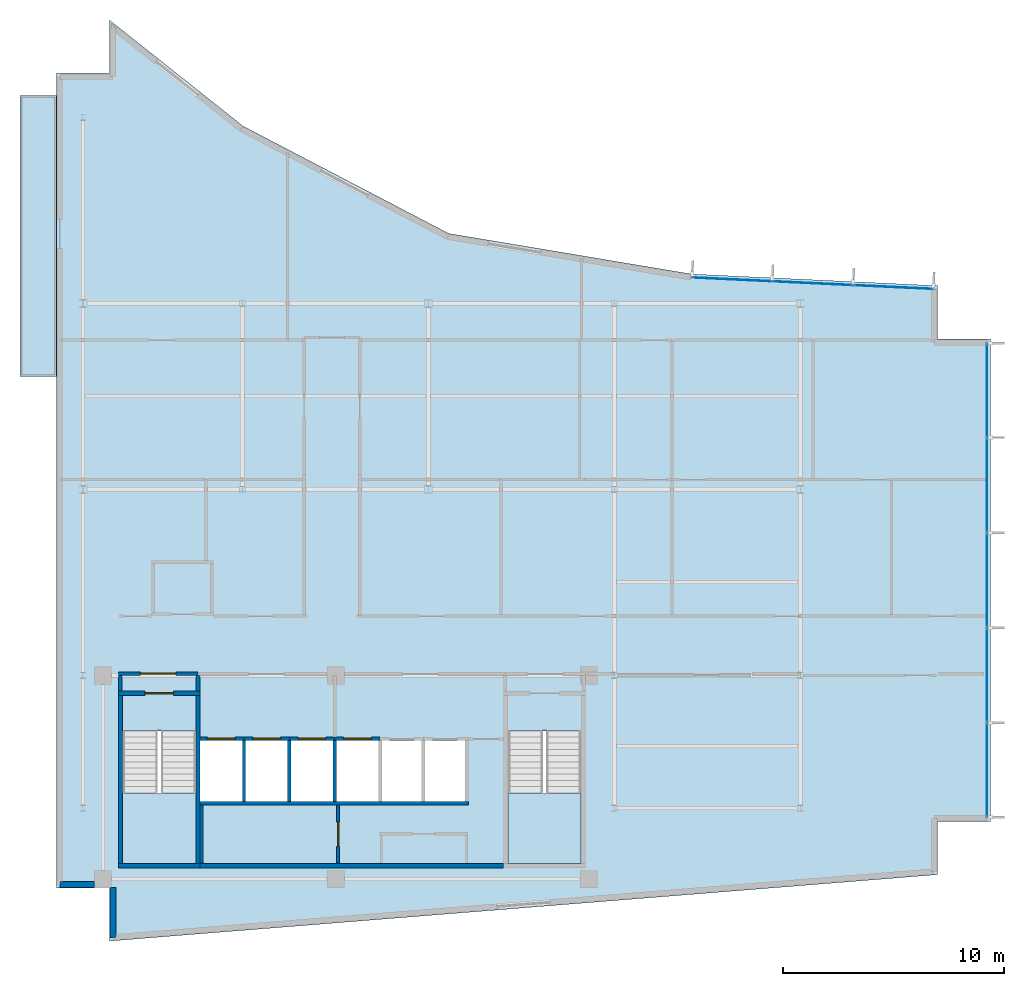
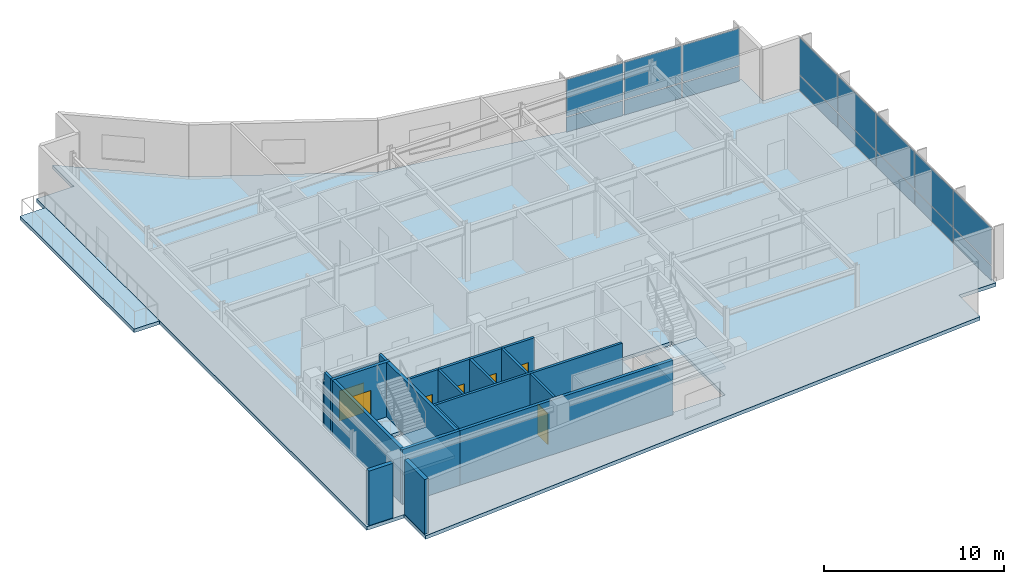
# One storey, part 10 of 16: 20 walls, 16 plates, 7 doors, 4 slabs, 7 openings, 4 elements without a shape of their own.
"""IFC4 building model written with IfcOpenShell, lengths in metres."""

from ifc_helpers import new_model, si_unit, direction, frame, frame_2d, origin, origin_2d, place, context, subcontext, project, spatial, polyline, rectangle, outline, extrude, material, layer, layer_set, type_object, element, fill, aggregate, save


model = new_model("IFC4")

# Units and contexts
model_context = context("Model", 3, precision=1e-05, world=origin(), true_north=direction((0.0, 1.0)))
body_context = subcontext(model_context, "Body", "Model", "MODEL_VIEW")
ifc_project = project(units=[si_unit("LENGTHUNIT", "METRE"), si_unit("AREAUNIT", "SQUARE_METRE"), si_unit("VOLUMEUNIT", "CUBIC_METRE"), si_unit("PLANEANGLEUNIT", "RADIAN"), si_unit("MASSUNIT", "GRAM", prefix="KILO")], contexts=[model_context])

# Site, building, storey
site_placement = place(None, origin())
site = spatial("IfcSite", under=ifc_project, at=site_placement, CompositionType="ELEMENT")
building_placement = place(site_placement, origin())
building = spatial("IfcBuilding", under=site, at=building_placement, Name="Varnakote Quay Hospital", CompositionType="ELEMENT")
storey_placement = place(building_placement, frame((0.0, 0.0, 264.449951171875)))
storey = spatial("IfcBuildingStorey", under=building, at=storey_placement, Name="L65", CompositionType="ELEMENT", Elevation=264.449951171875)

# Curtain wall, plates
ifc_material_1 = material(Name="Anodised aluminium 6063-T6 Bronze", Category="aluminium")
ifc_layer_1 = layer(ifc_material_1, 0.235107421875)
ifc_layer_set_1 = layer_set([ifc_layer_1], Name="Anodised aluminium 6063-T6 Bronze")
curtain_wall_type = type_object("IfcCurtainWallType", Name="CW-SYS-5", PredefinedType="NOTDEFINED", material=ifc_layer_set_1)
curtain_wall_1_placement = place(storey_placement, origin())
curtain_wall_1 = element("IfcCurtainWall", 1, at=curtain_wall_1_placement, inside=storey, type_object=curtain_wall_type, Name="L65 Unitised Bronze Curtain Wall 1", PredefinedType="NOTDEFINED")
ifc_material_2 = material(Name="Double-glazed low-E solar glass", Category="glass")
ifc_layer_2 = layer(ifc_material_2, 0.028076171875)
ifc_layer_set_2 = layer_set([ifc_layer_2], Name="Double-glazed low-E solar glass")
plate_type = type_object("IfcPlateType", Name="CW-PNL-GLZ-28", PredefinedType="CURTAIN_PANEL", material=ifc_layer_set_2)
plate_1_placement = place(storey_placement, frame((42.0400390625, 7.724365234375, 0.065185546875), z_axis=(0.0, 0.0, 1.0), x_axis=(0.0, 1.0, 0.0)))
plate_1 = element("IfcPlate", 2, at=plate_1_placement, type_object=plate_type, Name="-5-L65-1 panel 1.1", PredefinedType="CURTAIN_PANEL", context=body_context, shape_type="SweptSolid", body=[
    extrude(rectangle(XDim=4.198486328125, YDim=0.028076171875, at=origin_2d()), origin(), (0.0, 0.0, 1.0), 1.00244140625),
])
plate_2_placement = place(storey_placement, frame((42.0400390625, 7.724365234375, 1.1328125), z_axis=(0.0, 0.0, 1.0), x_axis=(0.0, 1.0, 0.0)))
plate_2 = element("IfcPlate", 3, at=plate_2_placement, type_object=plate_type, Name="-5-L65-1 panel 1.2", PredefinedType="CURTAIN_PANEL", context=body_context, shape_type="SweptSolid", body=[
    extrude(rectangle(XDim=4.198486328125, YDim=0.028076171875, at=origin_2d()), origin(), (0.0, 0.0, 1.0), 2.512451171875),
])
plate_3_placement = place(storey_placement, frame((42.0400390625, 12.00390625, 0.065185546875), z_axis=(0.0, 0.0, 1.0), x_axis=(0.0, 1.0, 0.0)))
plate_3 = element("IfcPlate", 4, at=plate_3_placement, type_object=plate_type, Name="-5-L65-1 panel 2.1", PredefinedType="CURTAIN_PANEL", context=body_context, shape_type="SweptSolid", body=[
    extrude(rectangle(XDim=4.23095703125, YDim=0.028076171875, at=origin_2d()), origin(), (0.0, 0.0, 1.0), 1.00244140625),
])
plate_4_placement = place(storey_placement, frame((42.0400390625, 12.00390625, 1.1328125), z_axis=(0.0, 0.0, 1.0), x_axis=(0.0, 1.0, 0.0)))
plate_4 = element("IfcPlate", 5, at=plate_4_placement, type_object=plate_type, Name="-5-L65-1 panel 2.2", PredefinedType="CURTAIN_PANEL", context=body_context, shape_type="SweptSolid", body=[
    extrude(rectangle(XDim=4.23095703125, YDim=0.028076171875, at=origin_2d()), origin(), (0.0, 0.0, 1.0), 2.512451171875),
])
plate_5_placement = place(storey_placement, frame((42.0400390625, 16.300048828125, 0.065185546875), z_axis=(0.0, 0.0, 1.0), x_axis=(0.0, 1.0, 0.0)))
plate_5 = element("IfcPlate", 6, at=plate_5_placement, type_object=plate_type, Name="-5-L65-1 panel 3.1", PredefinedType="CURTAIN_PANEL", context=body_context, shape_type="SweptSolid", body=[
    extrude(rectangle(XDim=4.23095703125, YDim=0.028076171875, at=origin_2d()), origin(), (0.0, 0.0, 1.0), 1.00244140625),
])
plate_6_placement = place(storey_placement, frame((42.0400390625, 16.300048828125, 1.1328125), z_axis=(0.0, 0.0, 1.0), x_axis=(0.0, 1.0, 0.0)))
plate_6 = element("IfcPlate", 7, at=plate_6_placement, type_object=plate_type, Name="-5-L65-1 panel 3.2", PredefinedType="CURTAIN_PANEL", context=body_context, shape_type="SweptSolid", body=[
    extrude(rectangle(XDim=4.23095703125, YDim=0.028076171875, at=origin_2d()), origin(), (0.0, 0.0, 1.0), 2.512451171875),
])
plate_7_placement = place(storey_placement, frame((42.0400390625, 20.595947265625, 0.065185546875), z_axis=(0.0, 0.0, 1.0), x_axis=(0.0, 1.0, 0.0)))
plate_7 = element("IfcPlate", 8, at=plate_7_placement, type_object=plate_type, Name="-5-L65-1 panel 4.1", PredefinedType="CURTAIN_PANEL", context=body_context, shape_type="SweptSolid", body=[
    extrude(rectangle(XDim=4.23095703125, YDim=0.028076171875, at=origin_2d()), origin(), (0.0, 0.0, 1.0), 1.00244140625),
])
plate_8_placement = place(storey_placement, frame((42.0400390625, 20.595947265625, 1.1328125), z_axis=(0.0, 0.0, 1.0), x_axis=(0.0, 1.0, 0.0)))
plate_8 = element("IfcPlate", 9, at=plate_8_placement, type_object=plate_type, Name="-5-L65-1 panel 4.2", PredefinedType="CURTAIN_PANEL", context=body_context, shape_type="SweptSolid", body=[
    extrude(rectangle(XDim=4.23095703125, YDim=0.028076171875, at=origin_2d()), origin(), (0.0, 0.0, 1.0), 2.512451171875),
])
plate_9_placement = place(storey_placement, frame((42.0400390625, 24.875732421875, 0.065185546875), z_axis=(0.0, 0.0, 1.0), x_axis=(0.0, 1.0, 0.0)))
plate_9 = element("IfcPlate", 10, at=plate_9_placement, type_object=plate_type, Name="-5-L65-1 panel 5.1", PredefinedType="CURTAIN_PANEL", context=body_context, shape_type="SweptSolid", body=[
    extrude(rectangle(XDim=4.198486328125, YDim=0.028076171875, at=origin_2d()), origin(), (0.0, 0.0, 1.0), 1.00244140625),
])
plate_10_placement = place(storey_placement, frame((42.0400390625, 24.875732421875, 1.1328125), z_axis=(0.0, 0.0, 1.0), x_axis=(0.0, 1.0, 0.0)))
plate_10 = element("IfcPlate", 11, at=plate_10_placement, type_object=plate_type, Name="-5-L65-1 panel 5.2", PredefinedType="CURTAIN_PANEL", context=body_context, shape_type="SweptSolid", body=[
    extrude(rectangle(XDim=4.198486328125, YDim=0.028076171875, at=origin_2d()), origin(), (0.0, 0.0, 1.0), 2.512451171875),
])
aggregate(curtain_wall_1, [plate_1, plate_2, plate_3, plate_4, plate_5, plate_6, plate_7, plate_8, plate_9, plate_10])

curtain_wall_2_placement = place(storey_placement, origin())
curtain_wall_2 = element("IfcCurtainWall", 12, at=curtain_wall_2_placement, inside=storey, type_object=curtain_wall_type, Name="L65 Unitised Bronze Curtain Wall 2", PredefinedType="NOTDEFINED")
plate_11_placement = place(storey_placement, frame((37.796875, 29.53515625, 0.065185546875), z_axis=(0.0, 0.0, 1.0), x_axis=(-0.998871392955, 0.04749674026, 0.0)))
plate_11 = element("IfcPlate", 13, at=plate_11_placement, type_object=plate_type, Name="-5-L65-2 panel 1.1", PredefinedType="CURTAIN_PANEL", context=body_context, shape_type="SweptSolid", body=[
    extrude(rectangle(XDim=3.560302734375, YDim=0.028076171875, at=origin_2d()), origin(), (0.0, 0.0, 1.0), 1.00244140625),
])
plate_12_placement = place(storey_placement, frame((37.796875, 29.53515625, 1.1328125), z_axis=(0.0, 0.0, 1.0), x_axis=(-0.998871392955, 0.04749674026, 0.0)))
plate_12 = element("IfcPlate", 14, at=plate_12_placement, type_object=plate_type, Name="-5-L65-2 panel 1.2", PredefinedType="CURTAIN_PANEL", context=body_context, shape_type="SweptSolid", body=[
    extrude(rectangle(XDim=3.560302734375, YDim=0.028076171875, at=origin_2d()), origin(), (0.0, 0.0, 1.0), 2.512451171875),
])
plate_13_placement = place(storey_placement, frame((34.159423828125, 29.7080078125, 0.065185546875), z_axis=(0.0, 0.0, 1.0), x_axis=(-0.998871392955, 0.04749674026, 0.0)))
plate_13 = element("IfcPlate", 15, at=plate_13_placement, type_object=plate_type, Name="-5-L65-2 panel 2.1", PredefinedType="CURTAIN_PANEL", context=body_context, shape_type="SweptSolid", body=[
    extrude(rectangle(XDim=3.5927734375, YDim=0.028076171875, at=origin_2d()), origin(), (0.0, 0.0, 1.0), 1.00244140625),
])
plate_14_placement = place(storey_placement, frame((34.159423828125, 29.7080078125, 1.1328125), z_axis=(0.0, 0.0, 1.0), x_axis=(-0.998871392955, 0.04749674026, 0.0)))
plate_14 = element("IfcPlate", 16, at=plate_14_placement, type_object=plate_type, Name="-5-L65-2 panel 2.2", PredefinedType="CURTAIN_PANEL", context=body_context, shape_type="SweptSolid", body=[
    extrude(rectangle(XDim=3.5927734375, YDim=0.028076171875, at=origin_2d()), origin(), (0.0, 0.0, 1.0), 2.512451171875),
])
plate_15_placement = place(storey_placement, frame((30.52197265625, 29.880859375, 0.065185546875), z_axis=(0.0, 0.0, 1.0), x_axis=(-0.998871392955, 0.04749674026, 0.0)))
plate_15 = element("IfcPlate", 17, at=plate_15_placement, type_object=plate_type, Name="-5-L65-2 panel 3.1", PredefinedType="CURTAIN_PANEL", context=body_context, shape_type="SweptSolid", body=[
    extrude(rectangle(XDim=3.560302734375, YDim=0.028076171875, at=origin_2d()), origin(), (0.0, 0.0, 1.0), 1.00244140625),
])
plate_16_placement = place(storey_placement, frame((30.52197265625, 29.880859375, 1.1328125), z_axis=(0.0, 0.0, 1.0), x_axis=(-0.998871392955, 0.04749674026, 0.0)))
plate_16 = element("IfcPlate", 18, at=plate_16_placement, type_object=plate_type, Name="-5-L65-2 panel 3.2", PredefinedType="CURTAIN_PANEL", context=body_context, shape_type="SweptSolid", body=[
    extrude(rectangle(XDim=3.560302734375, YDim=0.028076171875, at=origin_2d()), origin(), (0.0, 0.0, 1.0), 2.512451171875),
])
aggregate(curtain_wall_2, [plate_11, plate_12, plate_13, plate_14, plate_15, plate_16])

# Stair, slab
ifc_material_3 = material(Name="Concrete N40 (f'c 40 MPa)", Category="concrete")
stair_type = type_object("IfcStairType", Name="STR-CORE-1580", PredefinedType="HALF_TURN_STAIR", material=ifc_material_3)
stair_1_placement = place(storey_placement, origin())
stair_1 = element("IfcStair", 19, at=stair_1_placement, inside=storey, type_object=stair_type, Name="L65 Fire-Isolated Exit Stair ST-01", PredefinedType="HALF_TURN_STAIR")
ifc_material_4 = material(Name="Concrete N40 (f'c 40 MPa)", Category="concrete")
ifc_layer_3 = layer(ifc_material_4, 0.199951171875)
ifc_layer_set_3 = layer_set([ifc_layer_3], Name="Concrete N40 (f'c 40 MPa)")
slab_type_1 = type_object("IfcSlabType", Name="SLB-STAIR-LND-200", PredefinedType="LANDING", material=ifc_layer_set_3)
slab_1_placement = place(storey_placement, frame((0.0, 0.0, 1.775146484375)))
slab_1 = element("IfcSlab", 20, at=slab_1_placement, type_object=slab_type_1, Name="ST-01 landing 1", PredefinedType="LANDING", context=body_context, shape_type="SweptSolid", body=[
    extrude(outline(polyline([(3.0, 6.699951171875), (3.0, 3.5), (6.300048828125, 3.5), (6.300048828125, 6.699951171875), (3.0, 6.699951171875)])), origin(), (0.0, 0.0, 1.0), 0.199951171875),
])
aggregate(stair_1, [slab_1])

stair_2_placement = place(storey_placement, origin())
stair_2 = element("IfcStair", 21, at=stair_2_placement, inside=storey, type_object=stair_type, Name="L65 Fire-Isolated Exit Stair ST-02", PredefinedType="HALF_TURN_STAIR")
slab_2_placement = place(storey_placement, frame((0.0, 0.0, 1.775146484375)))
slab_2 = element("IfcSlab", 22, at=slab_2_placement, type_object=slab_type_1, Name="ST-02 landing 1", PredefinedType="LANDING", context=body_context, shape_type="SweptSolid", body=[
    extrude(outline(polyline([(20.39990234375, 6.699951171875), (20.39990234375, 3.5), (23.699951171875, 3.5), (23.699951171875, 6.699951171875), (20.39990234375, 6.699951171875)])), origin(), (0.0, 0.0, 1.0), 0.199951171875),
])
aggregate(stair_2, [slab_2])

# Slabs
ifc_material_5 = material(Name="Concrete N50 (f'c 50 MPa)", Category="concrete")
ifc_layer_4 = layer(ifc_material_5, 0.239990234375)
ifc_layer_set_4 = layer_set([ifc_layer_4], Name="Concrete N50 (f'c 50 MPa)")
slab_type_2 = type_object("IfcSlabType", Name="SLB-TERR-200", PredefinedType="FLOOR", material=ifc_layer_set_4)
slab_3_placement = place(storey_placement, frame((0.0, 0.0, -0.239990234375)))
element("IfcSlab", 23, at=slab_3_placement, inside=storey, type_object=slab_type_2, Name="L65 Waterfront Healing Terrace Slab", PredefinedType="FLOOR", context=body_context, shape_type="SweptSolid", body=[
    extrude(outline(polyline([(0.00390625, 25.5), (0.00390625, 38.199951171875), (-1.639892578125, 38.199951171875), (-1.639892578125, 25.5), (0.00390625, 25.5)])), origin(), (0.0, 0.0, 1.0), 0.239990234375),
])
ifc_material_6 = material(Name="Concrete N50 (f'c 50 MPa)", Category="concrete")
ifc_layer_5 = layer(ifc_material_6, 0.239990234375)
ifc_layer_set_5 = layer_set([ifc_layer_5], Name="Concrete N50 (f'c 50 MPa)")
slab_type_3 = type_object("IfcSlabType", Name="SLB-WARD-200", PredefinedType="FLOOR", material=ifc_layer_set_5)
slab_4_placement = place(storey_placement, frame((0.0, 0.0, -0.239990234375)))
element("IfcSlab", 24, at=slab_4_placement, inside=storey, type_object=slab_type_3, Name="L65 Primary Floor Slab", PredefinedType="FLOOR", context=body_context, shape_type="SweptSolid", body=[
    extrude(outline(polyline([(0.0, 2.39990234375), (2.39990234375, 2.39990234375), (2.39990234375, 0.0), (39.800048828125, 3.0), (39.800048828125, 5.39990234375), (42.199951171875, 5.39990234375), (42.199951171875, 27.199951171875), (39.800048828125, 27.199951171875), (39.800048828125, 29.60009765625), (28.696044921875, 30.1279296875), (17.72412109375, 31.9599609375), (8.43994140625, 36.80810546875), (2.39990234375, 41.60009765625), (2.39990234375, 39.199951171875), (0.0, 39.199951171875), (0.0, 2.39990234375)]), holes=[polyline([(3.0, 3.5), (6.300048828125, 3.5), (6.300048828125, 9.49951171875), (3.0, 9.49951171875), (3.0, 3.5)]), polyline([(20.39990234375, 3.5), (23.699951171875, 3.5), (23.699951171875, 9.49951171875), (20.39990234375, 9.49951171875), (20.39990234375, 3.5)]), polyline([(6.5, 6.300048828125), (8.39990234375, 6.300048828125), (8.39990234375, 9.050048828125), (6.5, 9.050048828125), (6.5, 6.300048828125)]), polyline([(8.550048828125, 6.300048828125), (10.449951171875, 6.300048828125), (10.449951171875, 9.050048828125), (8.550048828125, 9.050048828125), (8.550048828125, 6.300048828125)]), polyline([(10.60009765625, 6.300048828125), (12.5, 6.300048828125), (12.5, 9.050048828125), (10.60009765625, 9.050048828125), (10.60009765625, 6.300048828125)]), polyline([(12.64990234375, 6.300048828125), (14.550048828125, 6.300048828125), (14.550048828125, 9.050048828125), (12.64990234375, 9.050048828125), (12.64990234375, 6.300048828125)]), polyline([(14.699951171875, 6.300048828125), (16.5, 6.300048828125), (16.5, 9.050048828125), (14.699951171875, 9.050048828125), (14.699951171875, 6.300048828125)]), polyline([(16.64990234375, 6.300048828125), (18.449951171875, 6.300048828125), (18.449951171875, 9.050048828125), (16.64990234375, 9.050048828125), (16.64990234375, 6.300048828125)])]), origin(), (0.0, 0.0, 1.0), 0.239990234375),
])

# Wall
ifc_material_7 = material(Name="Fire-rated acoustic gypsum stud wall", Category="gypsum")
ifc_layer_6 = layer(ifc_material_7, 0.159912109375)
ifc_layer_set_6 = layer_set([ifc_layer_6], Name="Fire-rated acoustic gypsum stud wall")
wall_type_1 = type_object("IfcWallType", Name="WL-COMP-160", PredefinedType="PARTITIONING", material=ifc_layer_set_6)
wall_1_placement = place(storey_placement, frame((2.8798828125, 11.300048828125, 0.0), z_axis=(0.0, 0.0, 1.0), x_axis=(0.0, 1.0, 0.0)))
element("IfcWall", 25, at=wall_1_placement, inside=storey, type_object=wall_type_1, Name="L65 West Stair Vestibule West Wall", PredefinedType="PARTITIONING", context=body_context, shape_type="SweptSolid", body=[
    extrude(rectangle(XDim=0.699951171875, YDim=0.159912109375, at=frame_2d((0.35009765625, 0.0))), origin(), (0.0, 0.0, 1.0), 3.7099609375),
])

# Wall, opening, door
wall_2_placement = place(storey_placement, frame((2.800048828125, 12.080078125, 0.0), z_axis=(0.0, 0.0, 1.0), x_axis=(1.0, 0.0, 0.0)))
wall_2 = element("IfcWall", 26, at=wall_2_placement, inside=storey, type_object=wall_type_1, Name="L65 West Stair Vestibule Smoke Wall", PredefinedType="PARTITIONING", context=body_context, shape_type="SweptSolid", body=[
    extrude(rectangle(XDim=3.599853515625, YDim=0.159912109375, at=frame_2d((1.7998046875, 0.0))), origin(), (0.0, 0.0, 1.0), 3.156982421875),
])
opening_1_placement = place(wall_2_placement, frame((1.0, 0.0, 0.0)))
opening_1 = element("IfcOpeningElement", 27, at=opening_1_placement, cuts=wall_2, Name="Opening D-ST1L-L65", PredefinedType="OPENING", context=body_context, shape_type="SweptSolid", body=[
    extrude(rectangle(XDim=1.60009765625, YDim=2.050048828125, at=frame_2d((0.800048828125, 1.02490234375))), frame((0.0, 0.08984375, 0.0), z_axis=(0.0, -1.0, 0.0), x_axis=(1.0, 0.0, 0.0)), (0.0, 0.0, 1.0), 0.179931640625),
])
ifc_material_8 = material(Name="Fire-rated double smoke lobby door")
door_type_1 = type_object("IfcDoorType", Name="DR-LOBBY-FD60S-1600x2150", OperationType="NOTDEFINED", PredefinedType="DOOR", material=ifc_material_8)
door_1_placement = place(opening_1_placement, origin())
door_1 = element("IfcDoor", 28, at=door_1_placement, inside=storey, type_object=door_type_1, Name="L65 West Stair Vestibule Smoke Door", OperationType="DOUBLE_DOOR_SINGLE_SWING", OverallHeight=2.050048828125, OverallWidth=1.60009765625, PredefinedType="DOOR", context=body_context, shape_type="SweptSolid", body=[
    extrude(rectangle(XDim=1.60009765625, YDim=2.050048828125, at=frame_2d((0.800048828125, 1.02490234375))), frame((0.0, 0.02490234375, 0.0), z_axis=(0.0, -1.0, 0.0), x_axis=(1.0, 0.0, 0.0)), (0.0, 0.0, 1.0), 0.050048828125),
])
fill(opening_1, door_1)

# Walls
wall_3_placement = place(storey_placement, frame((6.39990234375, 11.300048828125, 0.0), z_axis=(0.0, 0.0, 1.0), x_axis=(0.0, 1.0, 0.0)))
element("IfcWall", 29, at=wall_3_placement, inside=storey, type_object=wall_type_1, Name="L65 Firefighting Lobby West Wall", PredefinedType="PARTITIONING", context=body_context, shape_type="SweptSolid", body=[
    extrude(rectangle(XDim=0.699951171875, YDim=0.159912109375, at=frame_2d((0.35009765625, 0.0))), origin(), (0.0, 0.0, 1.0), 3.7099609375),
])
ifc_material_9 = material(Name="Concrete N50 (f'c 50 MPa)", Category="concrete")
ifc_layer_7 = layer(ifc_material_9, 0.199951171875)
ifc_layer_set_7 = layer_set([ifc_layer_7], Name="Concrete N50 (f'c 50 MPa)")
wall_type_2 = type_object("IfcWallType", Name="WL-CORE-N50-200", PredefinedType="SHEAR", material=ifc_layer_set_7)
wall_4_placement = place(storey_placement, frame((6.5, 3.39990234375, 0.0), z_axis=(0.0, 0.0, 1.0), x_axis=(1.0, 0.0, 0.0)))
element("IfcWall", 30, at=wall_4_placement, inside=storey, type_object=wall_type_2, Name="L65 Rear Core South Shear Wall", PredefinedType="SHEAR", context=body_context, shape_type="SweptSolid", body=[
    extrude(rectangle(XDim=13.699951171875, YDim=0.199951171875, at=frame_2d((6.85009765625, 0.0))), origin(), (0.0, 0.0, 1.0), 3.7099609375),
])
ifc_material_10 = material(Name="Precast concrete N50 (f'c 50 MPa)", Category="concrete")
ifc_layer_8 = layer(ifc_material_10, 0.260009765625)
ifc_layer_set_8 = layer_set([ifc_layer_8], Name="Precast concrete N50 (f'c 50 MPa)")
wall_type_3 = type_object("IfcWallType", Name="WL-EXT-BRICK-260", PredefinedType="STANDARD", material=ifc_layer_set_8)
wall_5_placement = place(storey_placement, frame((2.56005859375, 2.4150390625, 0.0), z_axis=(0.0, 0.0, 1.0), x_axis=(0.0, -1.0, 0.0)))
element("IfcWall", 31, at=wall_5_placement, inside=storey, type_object=wall_type_3, Name="L65 Brick-Faced Precast Exterior Wall", PredefinedType="STANDARD", context=body_context, shape_type="SweptSolid", body=[
    extrude(rectangle(XDim=2.24169921875, YDim=0.260009765625, at=frame_2d((1.120849609375, 0.0))), origin(), (0.0, 0.0, 1.0), 3.7099609375),
])
wall_6_placement = place(storey_placement, frame((0.159912109375, 2.56005859375, 0.0), z_axis=(0.0, 0.0, 1.0), x_axis=(1.0, 0.0, 0.0)))
element("IfcWall", 32, at=wall_6_placement, inside=storey, type_object=wall_type_3, Name="L65 Brick-Faced Precast Exterior Wall", PredefinedType="STANDARD", context=body_context, shape_type="SweptSolid", body=[
    extrude(rectangle(XDim=1.55517578125, YDim=0.260009765625, at=frame_2d((0.777587890625, 0.0))), origin(), (0.0, 0.0, 1.0), 3.7099609375),
])
ifc_material_11 = material(Name="Concrete N50 (f'c 50 MPa)", Category="concrete")
ifc_layer_9 = layer(ifc_material_11, 0.14990234375)
ifc_layer_set_9 = layer_set([ifc_layer_9], Name="Concrete N50 (f'c 50 MPa)")
wall_type_4 = type_object("IfcWallType", Name="WL-SHAFT-N50-150", PredefinedType="SHEAR", material=ifc_layer_set_9)
for number, where, z_axis, x_axis, name in (
    (33, (8.47509765625, 6.300048828125, 0.0), (0.0, 0.0, 1.0), (0.0, 1.0, 0.0), "L65 LF-FF1 Hoistway Divider Wall"),
    (34, (10.52490234375, 6.300048828125, 0.0), (0.0, 0.0, 1.0), (0.0, 1.0, 0.0), "L65 LF-FF2 Hoistway Divider Wall"),
    (35, (12.574951171875, 6.300048828125, 0.0), (0.0, 0.0, 1.0), (0.0, 1.0, 0.0), "L65 LF-SV1 Hoistway Divider Wall"),
):
    element("IfcWall", number, at=place(storey_placement, frame(where, z_axis=z_axis, x_axis=x_axis)), inside=storey, type_object=wall_type_4, Name=name, PredefinedType="SHEAR", context=body_context, shape_type="SweptSolid", body=[
        extrude(rectangle(XDim=2.75, YDim=0.14990234375, at=frame_2d((1.375, 0.0))), origin(), (0.0, 0.0, 1.0), 3.7099609375),
    ])
ifc_material_12 = material(Name="Concrete N50 (f'c 50 MPa)", Category="concrete")
ifc_layer_10 = layer(ifc_material_12, 0.159912109375)
ifc_layer_set_10 = layer_set([ifc_layer_10], Name="Concrete N50 (f'c 50 MPa)")
wall_type_5 = type_object("IfcWallType", Name="WL-SHAFT-N50-160", PredefinedType="SHEAR", material=ifc_layer_set_10)
wall_7_placement = place(storey_placement, frame((6.5, 6.219970703125, 0.0), z_axis=(0.0, 0.0, 1.0), x_axis=(1.0, 0.0, 0.0)))
element("IfcWall", 36, at=wall_7_placement, inside=storey, type_object=wall_type_5, Name="L65 REAR Lift Bank Back Shear Wall", PredefinedType="SHEAR", context=body_context, shape_type="SweptSolid", body=[
    extrude(rectangle(XDim=12.110107421875, YDim=0.159912109375, at=frame_2d((6.05517578125, 0.0))), origin(), (0.0, 0.0, 1.0), 3.7099609375),
])

# Wall, opening, door
wall_8_placement = place(storey_placement, frame((6.5, 9.1298828125, 0.0), z_axis=(0.0, 0.0, 1.0), x_axis=(1.0, 0.0, 0.0)))
wall_8 = element("IfcWall", 37, at=wall_8_placement, inside=storey, type_object=wall_type_5, Name="L65 LF-FF1 Hoistway Front Wall", PredefinedType="SHEAR", context=body_context, shape_type="SweptSolid", body=[
    extrude(rectangle(XDim=1.97509765625, YDim=0.159912109375, at=frame_2d((0.987548828125, 0.0))), origin(), (0.0, 0.0, 1.0), 3.7099609375),
])
opening_2_placement = place(wall_8_placement, frame((0.324951171875, 0.0, 0.0)))
opening_2 = element("IfcOpeningElement", 38, at=opening_2_placement, cuts=wall_8, Name="Opening LD-FF1-L65", PredefinedType="OPENING", context=body_context, shape_type="SweptSolid", body=[
    extrude(rectangle(XDim=1.25, YDim=2.14990234375, at=frame_2d((0.625, 1.074951171875))), frame((0.0, 0.08984375, 0.0), z_axis=(0.0, -1.0, 0.0), x_axis=(1.0, 0.0, 0.0)), (0.0, 0.0, 1.0), 0.179931640625),
])
ifc_material_13 = material(Name="Stainless steel lift landing sliding door", Category="steel")
door_type_2 = type_object("IfcDoorType", Name="DR-LIFT-LD-1250x2150", OperationType="NOTDEFINED", PredefinedType="DOOR", material=ifc_material_13)
door_2_placement = place(opening_2_placement, origin())
door_2 = element("IfcDoor", 39, at=door_2_placement, inside=storey, type_object=door_type_2, Name="L65 LF-FF1 Lift Landing Sliding Door", OperationType="SLIDING_TO_LEFT", OverallHeight=2.14990234375, OverallWidth=1.25, PredefinedType="DOOR", context=body_context, shape_type="SweptSolid", body=[
    extrude(rectangle(XDim=1.25, YDim=2.14990234375, at=frame_2d((0.625, 1.074951171875))), frame((0.0, 0.02490234375, 0.0), z_axis=(0.0, -1.0, 0.0), x_axis=(1.0, 0.0, 0.0)), (0.0, 0.0, 1.0), 0.050048828125),
])
fill(opening_2, door_2)

wall_9_placement = place(storey_placement, frame((8.47509765625, 9.1298828125, 0.0), z_axis=(0.0, 0.0, 1.0), x_axis=(1.0, 0.0, 0.0)))
wall_9 = element("IfcWall", 40, at=wall_9_placement, inside=storey, type_object=wall_type_5, Name="L65 LF-FF2 Hoistway Front Wall", PredefinedType="SHEAR", context=body_context, shape_type="SweptSolid", body=[
    extrude(rectangle(XDim=2.0498046875, YDim=0.159912109375, at=frame_2d((1.02490234375, 0.0))), origin(), (0.0, 0.0, 1.0), 3.7099609375),
])
opening_3_placement = place(wall_9_placement, frame((0.39990234375, 0.0, 0.0)))
opening_3 = element("IfcOpeningElement", 41, at=opening_3_placement, cuts=wall_9, Name="Opening LD-FF2-L65", PredefinedType="OPENING", context=body_context, shape_type="SweptSolid", body=[
    extrude(rectangle(XDim=1.25, YDim=2.14990234375, at=frame_2d((0.625, 1.074951171875))), frame((0.0, 0.08984375, 0.0), z_axis=(0.0, -1.0, 0.0), x_axis=(1.0, 0.0, 0.0)), (0.0, 0.0, 1.0), 0.179931640625),
])
door_3_placement = place(opening_3_placement, origin())
door_3 = element("IfcDoor", 42, at=door_3_placement, inside=storey, type_object=door_type_2, Name="L65 LF-FF2 Lift Landing Sliding Door", OperationType="SLIDING_TO_LEFT", OverallHeight=2.14990234375, OverallWidth=1.25, PredefinedType="DOOR", context=body_context, shape_type="SweptSolid", body=[
    extrude(rectangle(XDim=1.25, YDim=2.14990234375, at=frame_2d((0.625, 1.074951171875))), frame((0.0, 0.02490234375, 0.0), z_axis=(0.0, -1.0, 0.0), x_axis=(1.0, 0.0, 0.0)), (0.0, 0.0, 1.0), 0.050048828125),
])
fill(opening_3, door_3)

wall_10_placement = place(storey_placement, frame((10.52490234375, 9.1298828125, 0.0), z_axis=(0.0, 0.0, 1.0), x_axis=(1.0, 0.0, 0.0)))
wall_10 = element("IfcWall", 43, at=wall_10_placement, inside=storey, type_object=wall_type_5, Name="L65 LF-SV1 Hoistway Front Wall", PredefinedType="SHEAR", context=body_context, shape_type="SweptSolid", body=[
    extrude(rectangle(XDim=2.050048828125, YDim=0.159912109375, at=frame_2d((1.02490234375, 0.0))), origin(), (0.0, 0.0, 1.0), 3.7099609375),
])
opening_4_placement = place(wall_10_placement, frame((0.39990234375, 0.0, 0.0)))
opening_4 = element("IfcOpeningElement", 44, at=opening_4_placement, cuts=wall_10, Name="Opening LD-SV1-L65", PredefinedType="OPENING", context=body_context, shape_type="SweptSolid", body=[
    extrude(rectangle(XDim=1.25, YDim=2.14990234375, at=frame_2d((0.625, 1.074951171875))), frame((0.0, 0.08984375, 0.0), z_axis=(0.0, -1.0, 0.0), x_axis=(1.0, 0.0, 0.0)), (0.0, 0.0, 1.0), 0.179931640625),
])
door_4_placement = place(opening_4_placement, origin())
door_4 = element("IfcDoor", 45, at=door_4_placement, inside=storey, type_object=door_type_2, Name="L65 LF-SV1 Lift Landing Sliding Door", OperationType="SLIDING_TO_LEFT", OverallHeight=2.14990234375, OverallWidth=1.25, PredefinedType="DOOR", context=body_context, shape_type="SweptSolid", body=[
    extrude(rectangle(XDim=1.25, YDim=2.14990234375, at=frame_2d((0.625, 1.074951171875))), frame((0.0, 0.02490234375, 0.0), z_axis=(0.0, -1.0, 0.0), x_axis=(1.0, 0.0, 0.0)), (0.0, 0.0, 1.0), 0.050048828125),
])
fill(opening_4, door_4)

wall_11_placement = place(storey_placement, frame((12.574951171875, 9.1298828125, 0.0), z_axis=(0.0, 0.0, 1.0), x_axis=(1.0, 0.0, 0.0)))
wall_11 = element("IfcWall", 46, at=wall_11_placement, inside=storey, type_object=wall_type_5, Name="L65 LF-SV2 Hoistway Front Wall", PredefinedType="SHEAR", context=body_context, shape_type="SweptSolid", body=[
    extrude(rectangle(XDim=2.050048828125, YDim=0.159912109375, at=frame_2d((1.02490234375, 0.0))), origin(), (0.0, 0.0, 1.0), 3.7099609375),
])
opening_5_placement = place(wall_11_placement, frame((0.39990234375, 0.0, 0.0)))
opening_5 = element("IfcOpeningElement", 47, at=opening_5_placement, cuts=wall_11, Name="Opening LD-SV2-L65", PredefinedType="OPENING", context=body_context, shape_type="SweptSolid", body=[
    extrude(rectangle(XDim=1.25, YDim=2.14990234375, at=frame_2d((0.625, 1.074951171875))), frame((0.0, 0.08984375, 0.0), z_axis=(0.0, -1.0, 0.0), x_axis=(1.0, 0.0, 0.0)), (0.0, 0.0, 1.0), 0.179931640625),
])
door_5_placement = place(opening_5_placement, origin())
door_5 = element("IfcDoor", 48, at=door_5_placement, inside=storey, type_object=door_type_2, Name="L65 LF-SV2 Lift Landing Sliding Door", OperationType="SLIDING_TO_LEFT", OverallHeight=2.14990234375, OverallWidth=1.25, PredefinedType="DOOR", context=body_context, shape_type="SweptSolid", body=[
    extrude(rectangle(XDim=1.25, YDim=2.14990234375, at=frame_2d((0.625, 1.074951171875))), frame((0.0, 0.02490234375, 0.0), z_axis=(0.0, -1.0, 0.0), x_axis=(1.0, 0.0, 0.0)), (0.0, 0.0, 1.0), 0.050048828125),
])
fill(opening_5, door_5)

# Walls
ifc_material_14 = material(Name="Concrete N50 (f'c 50 MPa)", Category="concrete")
ifc_layer_11 = layer(ifc_material_14, 0.199951171875)
ifc_layer_set_11 = layer_set([ifc_layer_11], Name="Concrete N50 (f'c 50 MPa)")
wall_type_6 = type_object("IfcWallType", Name="WL-SHAFT-N50-200", PredefinedType="SHEAR", material=ifc_layer_set_11)
wall_12_placement = place(storey_placement, frame((2.800048828125, 3.39990234375, 0.0), z_axis=(0.0, 0.0, 1.0), x_axis=(1.0, 0.0, 0.0)))
element("IfcWall", 49, at=wall_12_placement, inside=storey, type_object=wall_type_6, Name="L65 Stair ST1 South Shaft Wall", PredefinedType="SHEAR", context=body_context, shape_type="SweptSolid", body=[
    extrude(rectangle(XDim=3.699951171875, YDim=0.199951171875, at=frame_2d((1.85009765625, 0.0))), origin(), (0.0, 0.0, 1.0), 3.7099609375),
])
for number, where, z_axis, x_axis, name in (
    (50, (2.89990234375, 3.5, 0.0), (0.0, 0.0, 1.0), (0.0, 1.0, 0.0), "L65 Stair ST1 West Shaft Wall"),
    (51, (6.39990234375, 3.5, 0.0), (0.0, 0.0, 1.0), (0.0, 1.0, 0.0), "L65 Stair ST1 East Shaft Wall"),
):
    element("IfcWall", number, at=place(storey_placement, frame(where, z_axis=z_axis, x_axis=x_axis)), inside=storey, type_object=wall_type_6, Name=name, PredefinedType="SHEAR", context=body_context, shape_type="SweptSolid", body=[
        extrude(rectangle(XDim=7.60009765625, YDim=0.199951171875, at=frame_2d((3.800048828125, 0.0))), origin(), (0.0, 0.0, 1.0), 3.7099609375),
    ])

# Wall, opening, door
wall_13_placement = place(storey_placement, frame((2.800048828125, 11.199951171875, 0.0), z_axis=(0.0, 0.0, 1.0), x_axis=(1.0, 0.0, 0.0)))
wall_13 = element("IfcWall", 52, at=wall_13_placement, inside=storey, type_object=wall_type_6, Name="L65 Stair ST1 Exit Wall", PredefinedType="SHEAR", context=body_context, shape_type="SweptSolid", body=[
    extrude(rectangle(XDim=3.699951171875, YDim=0.199951171875, at=frame_2d((1.85009765625, 0.0))), origin(), (0.0, 0.0, 1.0), 3.7099609375),
])
opening_6_placement = place(wall_13_placement, frame((1.199951171875, 0.0, 0.0)))
opening_6 = element("IfcOpeningElement", 53, at=opening_6_placement, cuts=wall_13, Name="Opening D-ST1-L65", PredefinedType="OPENING", context=body_context, shape_type="SweptSolid", body=[
    extrude(rectangle(XDim=1.300048828125, YDim=2.14990234375, at=frame_2d((0.64990234375, 1.074951171875))), frame((0.0, 0.10986328125, 0.0), z_axis=(0.0, -1.0, 0.0), x_axis=(1.0, 0.0, 0.0)), (0.0, 0.0, 1.0), 0.219970703125),
])
ifc_material_15 = material(Name="Fire-rated ceramic-glazed timber exit door", Category="wood")
door_type_3 = type_object("IfcDoorType", Name="DR-STAIR-FD60S-1300x2150", OperationType="NOTDEFINED", PredefinedType="DOOR", material=ifc_material_15)
door_6_placement = place(opening_6_placement, origin())
door_6 = element("IfcDoor", 54, at=door_6_placement, inside=storey, type_object=door_type_3, Name="L65 Stair ST1 Fire Exit Door", OperationType="SINGLE_SWING_LEFT", OverallHeight=2.14990234375, OverallWidth=1.300048828125, PredefinedType="DOOR", context=body_context, shape_type="SweptSolid", body=[
    extrude(rectangle(XDim=1.300048828125, YDim=2.14990234375, at=frame_2d((0.64990234375, 1.074951171875))), frame((0.0, 0.02490234375, 0.0), z_axis=(0.0, -1.0, 0.0), x_axis=(1.0, 0.0, 0.0)), (0.0, 0.0, 1.0), 0.050048828125),
])
fill(opening_6, door_6)

# Wall
ifc_material_16 = material(Name="Smoke-proof clinical partition", Category="gypsum")
ifc_layer_12 = layer(ifc_material_16, 0.1201171875)
ifc_layer_set_12 = layer_set([ifc_layer_12], Name="Smoke-proof clinical partition")
wall_type_7 = type_object("IfcWallType", Name="WL-SMOKE-120", PredefinedType="PARTITIONING", material=ifc_layer_set_12)
wall_14_placement = place(storey_placement, frame((6.56005859375, 3.52001953125, 0.0), z_axis=(0.0, 0.0, 1.0), x_axis=(0.0, 1.0, 0.0)))
element("IfcWall", 55, at=wall_14_placement, inside=storey, type_object=wall_type_7, Name="L65 Core West Store West Wall", PredefinedType="PARTITIONING", context=body_context, shape_type="SweptSolid", body=[
    extrude(rectangle(XDim=2.619873046875, YDim=0.1201171875, at=frame_2d((1.31005859375, 0.0))), origin(), (0.0, 0.0, 1.0), 3.7099609375),
])

# Wall, opening, door
ifc_material_17 = material(Name="Fire-rated clinical gypsum partition", Category="gypsum")
ifc_layer_13 = layer(ifc_material_17, 0.139892578125)
ifc_layer_set_13 = layer_set([ifc_layer_13], Name="Fire-rated clinical gypsum partition")
wall_type_8 = type_object("IfcWallType", Name="WL-WARD-140", PredefinedType="PARTITIONING", material=ifc_layer_set_13)
wall_15_placement = place(storey_placement, frame((12.72998046875, 3.52001953125, 0.0), z_axis=(0.0, 0.0, 1.0), x_axis=(0.0, 1.0, 0.0)))
wall_15 = element("IfcWall", 56, at=wall_15_placement, inside=storey, type_object=wall_type_8, Name="L65 Core Clean Equipment Store East Wall", PredefinedType="PARTITIONING", context=body_context, shape_type="SweptSolid", body=[
    extrude(rectangle(XDim=2.619873046875, YDim=0.139892578125, at=frame_2d((1.31005859375, 0.0))), origin(), (0.0, 0.0, 1.0), 3.7099609375),
])
opening_7_placement = place(wall_15_placement, frame((0.760009765625, 0.0, 0.0)))
opening_7 = element("IfcOpeningElement", 57, at=opening_7_placement, cuts=wall_15, Name="Opening D-L65-CR01", PredefinedType="OPENING", context=body_context, shape_type="SweptSolid", body=[
    extrude(rectangle(XDim=1.10009765625, YDim=2.10009765625, at=frame_2d((0.550048828125, 1.050048828125))), frame((0.0, 0.079833984375, 0.0), z_axis=(0.0, -1.0, 0.0), x_axis=(1.0, 0.0, 0.0)), (0.0, 0.0, 1.0), 0.159912109375),
])
ifc_material_18 = material(Name="Acoustic timber clinical consult door", Category="wood")
door_type_4 = type_object("IfcDoorType", Name="DR-CLIN-FD30S-1100x2100", OperationType="NOTDEFINED", PredefinedType="DOOR", material=ifc_material_18)
door_7_placement = place(opening_7_placement, origin())
door_7 = element("IfcDoor", 58, at=door_7_placement, inside=storey, type_object=door_type_4, Name="L65 Core Clean Equipment Store Door", OperationType="SINGLE_SWING_LEFT", OverallHeight=2.10009765625, OverallWidth=1.10009765625, PredefinedType="DOOR", context=body_context, shape_type="SweptSolid", body=[
    extrude(rectangle(XDim=1.10009765625, YDim=2.10009765625, at=frame_2d((0.550048828125, 1.050048828125))), frame((0.0, 0.02490234375, 0.0), z_axis=(0.0, -1.0, 0.0), x_axis=(1.0, 0.0, 0.0)), (0.0, 0.0, 1.0), 0.050048828125),
])
fill(opening_7, door_7)

save(model, "model.ifc")
